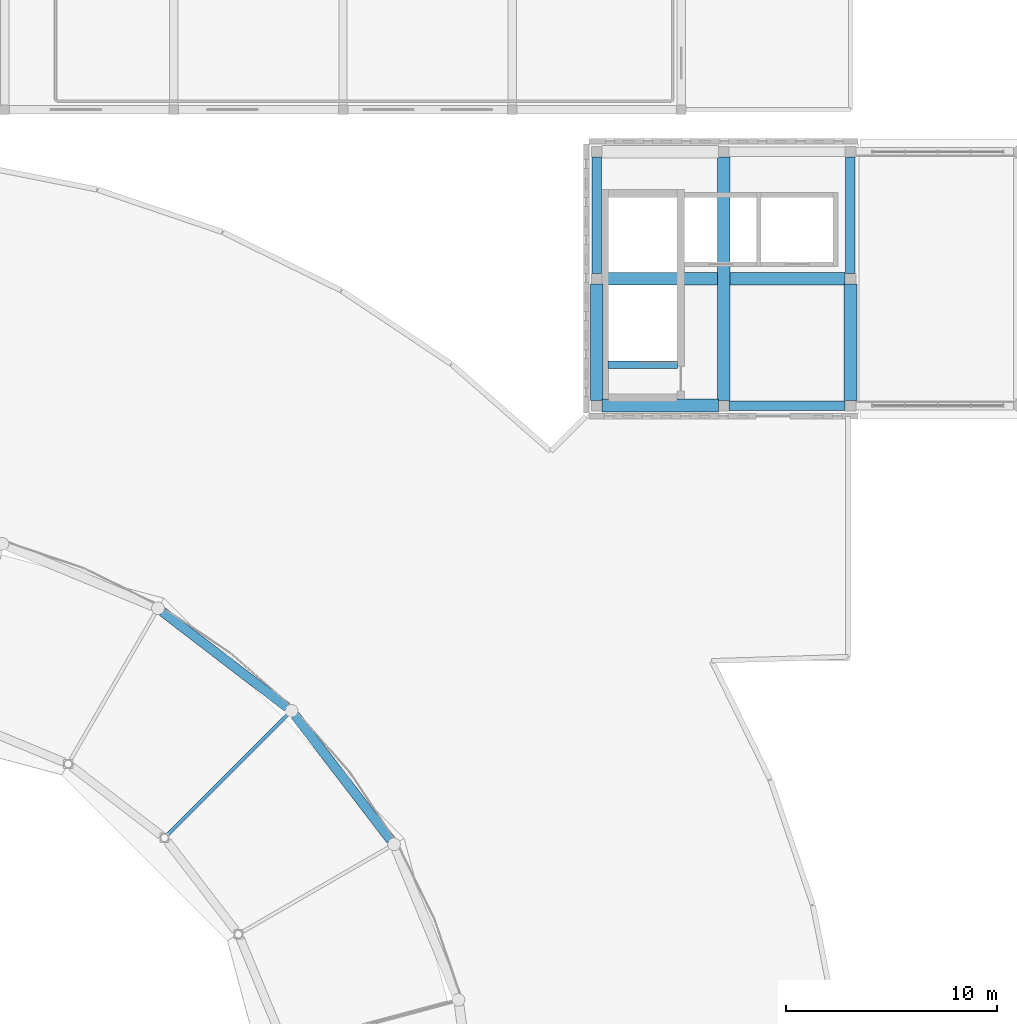
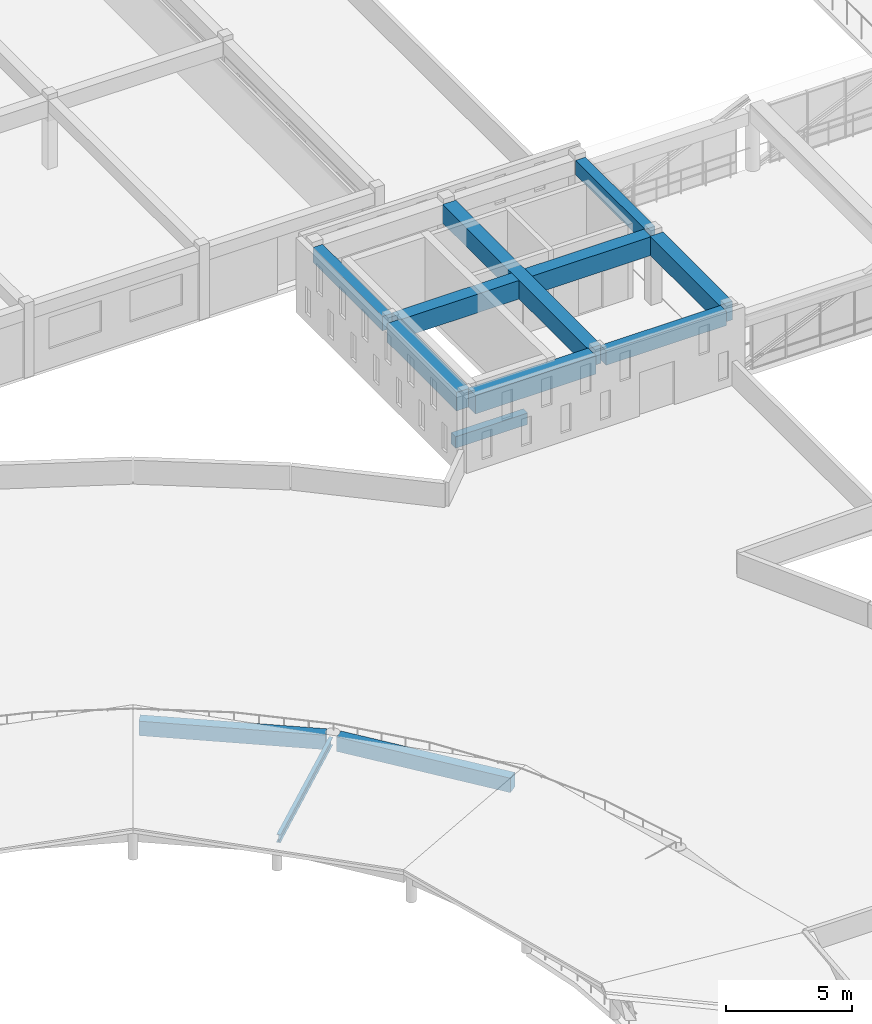
# One storey, part 22 of 77: 12 beams.
"""IFC4 building model written with IfcOpenShell, lengths in metres."""

from ifc_helpers import new_model, si_unit, direction, frame, origin, origin_2d, place, context, subcontext, project, spatial, rectangle, i_section, extrude, material, material_profile, profile_set, type_object, element, save


model = new_model("IFC4")

# Units and contexts
model_context = context("Model", 3, precision=1e-05, world=origin(), true_north=direction((0.0, 1.0)))
body_context = subcontext(model_context, "Body", "Model", "MODEL_VIEW")
ifc_project = project(units=[si_unit("LENGTHUNIT", "METRE"), si_unit("AREAUNIT", "SQUARE_METRE"), si_unit("VOLUMEUNIT", "CUBIC_METRE"), si_unit("PLANEANGLEUNIT", "RADIAN"), si_unit("MASSUNIT", "GRAM", prefix="KILO")], contexts=[model_context])

# Site, building, storey
site_placement = place(None, origin())
site = spatial("IfcSite", under=ifc_project, at=site_placement, CompositionType="ELEMENT")
building_placement = place(site_placement, origin())
building = spatial("IfcBuilding", under=site, at=building_placement, Name="Larkveld Mobility Hub", CompositionType="ELEMENT")
storey_placement = place(building_placement, frame((0.0, 0.0, 12.0)))
storey = spatial("IfcBuildingStorey", under=building, at=storey_placement, Name="L03", CompositionType="ELEMENT", Elevation=12.0)

# Beams
ifc_material_1 = material(Name="Concrete C40/50", Category="concrete")
ifc_material_profile_1 = material_profile(ifc_material_1, rectangle(XDim=0.35009765625, YDim=0.550048828125, at=origin_2d()), Name="RC BM 350x550")
ifc_profile_set_1 = profile_set([ifc_material_profile_1], Name="Concrete C40/50")
beam_type_1 = type_object("IfcBeamType", Name="BM-RC3555", PredefinedType="BEAM", material=ifc_profile_set_1)
beam_1_placement = place(storey_placement, frame((84.530029296875, 85.93994140625, -0.27001953125), z_axis=(1.0, 0.0, 0.0), x_axis=(0.0, 1.0, 0.0)))
element("IfcBeam", 1, at=beam_1_placement, inside=storey, type_object=beam_type_1, Name="Core C5 Stair Header Beam L03", PredefinedType="BEAM", context=body_context, shape_type="SweptSolid", body=[
    extrude(rectangle(XDim=0.35009765625, YDim=0.550048828125, at=origin_2d()), origin(), (0.0, 0.0, 1.0), 3.2900390625),
])
ifc_material_profile_2 = material_profile(ifc_material_1, rectangle(XDim=0.449951171875, YDim=0.699951171875, at=origin_2d()), Name="RC BM 450x700")
ifc_profile_set_2 = profile_set([ifc_material_profile_2], Name="Concrete C40/50")
beam_type_2 = type_object("IfcBeamType", Name="BM-RC4570", PredefinedType="BEAM", material=ifc_profile_set_2)
for number, where, z_axis, x_axis, name in (
    (2, (90.25, 84.0, 3.010009765625), (1.0, 0.0, 0.0), (0.0, 1.0, 0.0), "Primary E-W Girder L03-0735"),
    (3, (84.0, 90.25, 3.010009765625), (0.0, 1.0, 0.0), (-1.0, 0.0, 0.0), "Primary N-S Girder L03-0788"),
    (4, (96.0, 90.25, 3.010009765625), (0.0, 1.0, 0.0), (-1.0, 0.0, 0.0), "Primary N-S Girder L03-0793"),
):
    element("IfcBeam", number, at=place(storey_placement, frame(where, z_axis=z_axis, x_axis=x_axis)), inside=storey, type_object=beam_type_2, Name=name, PredefinedType="BEAM", context=body_context, shape_type="SweptSolid", body=[
        extrude(rectangle(XDim=0.449951171875, YDim=0.699951171875, at=origin_2d()), origin(), (0.0, 0.0, 1.0), 5.5),
    ])
for number, where, z_axis, x_axis, name in (
    (5, (74.256103515625, 63.4560546875, 0.449951171875), (-0.608754453805, 0.793358692504, 0.0), (-0.793358692504, -0.608754453805, 0.0), "Drum Canopy Outer Ring Beam L03-1735"),
    (6, (69.361083984375, 69.72509765625, 0.449951171875), (-0.793358692504, 0.608754453805, 0.0), (-0.608754453805, -0.793358692504, 0.0), "Drum Canopy Outer Ring Beam L03-1735"),
):
    element("IfcBeam", number, at=place(storey_placement, frame(where, z_axis=z_axis, x_axis=x_axis)), inside=storey, type_object=beam_type_2, Name=name, PredefinedType="BEAM", context=body_context, shape_type="SweptSolid", body=[
        extrude(rectangle(XDim=0.449951171875, YDim=0.699951171875, at=origin_2d()), origin(), (0.0, 0.0, 1.0), 7.443115234375),
    ])
ifc_material_profile_3 = material_profile(ifc_material_1, rectangle(XDim=0.60009765625, YDim=0.89990234375, at=origin_2d()), Name="RC BM 600x900")
ifc_profile_set_3 = profile_set([ifc_material_profile_3], Name="Concrete C40/50")
beam_type_3 = type_object("IfcBeamType", Name="BM-RC6090", PredefinedType="BEAM", material=ifc_profile_set_3)
beam_2_placement = place(storey_placement, frame((84.25, 84.0, 2.909912109375), z_axis=(1.0, 0.0, 0.0), x_axis=(0.0, 1.0, 0.0)))
element("IfcBeam", 7, at=beam_2_placement, inside=storey, type_object=beam_type_3, Name="Primary E-W Girder L03-0734", PredefinedType="BEAM", context=body_context, shape_type="SweptSolid", body=[
    extrude(rectangle(XDim=0.60009765625, YDim=0.89990234375, at=origin_2d()), origin(), (0.0, 0.0, 1.0), 5.5),
])
beam_3_placement = place(storey_placement, frame((84.25, 90.0, 2.909912109375), z_axis=(1.0, 0.0, 0.0), x_axis=(0.0, 1.0, 0.0)))
element("IfcBeam", 8, at=beam_3_placement, inside=storey, type_object=beam_type_3, Name="Primary E-W Girder L03-0740", PredefinedType="BEAM", context=body_context, shape_type="SweptSolid", body=[
    extrude(rectangle(XDim=0.60009765625, YDim=0.89990234375, at=origin_2d()), origin(), (0.0, 0.0, 1.0), 11.5),
])
beam_4_placement = place(storey_placement, frame((84.0, 84.25, 2.909912109375), z_axis=(0.0, 1.0, 0.0), x_axis=(-1.0, 0.0, 0.0)))
element("IfcBeam", 9, at=beam_4_placement, inside=storey, type_object=beam_type_3, Name="Primary N-S Girder L03-0787", PredefinedType="BEAM", context=body_context, shape_type="SweptSolid", body=[
    extrude(rectangle(XDim=0.60009765625, YDim=0.89990234375, at=origin_2d()), origin(), (0.0, 0.0, 1.0), 5.5),
])
beam_5_placement = place(storey_placement, frame((90.0, 84.25, 2.909912109375), z_axis=(0.0, 1.0, 0.0), x_axis=(-1.0, 0.0, 0.0)))
element("IfcBeam", 10, at=beam_5_placement, inside=storey, type_object=beam_type_3, Name="Primary N-S Girder L03-0791", PredefinedType="BEAM", context=body_context, shape_type="SweptSolid", body=[
    extrude(rectangle(XDim=0.60009765625, YDim=0.89990234375, at=origin_2d()), origin(), (0.0, 0.0, 1.0), 11.5),
])
beam_6_placement = place(storey_placement, frame((96.0, 84.25, 2.909912109375), z_axis=(0.0, 1.0, 0.0), x_axis=(-1.0, 0.0, 0.0)))
element("IfcBeam", 11, at=beam_6_placement, inside=storey, type_object=beam_type_3, Name="Primary N-S Girder L03-0792", PredefinedType="BEAM", context=body_context, shape_type="SweptSolid", body=[
    extrude(rectangle(XDim=0.60009765625, YDim=0.89990234375, at=origin_2d()), origin(), (0.0, 0.0, 1.0), 5.5),
])
ifc_material_2 = material(Name="Steel S355JR", Category="steel")
ifc_material_profile_4 = material_profile(ifc_material_2, i_section(OverallWidth=0.169921875, OverallDepth=0.360107421875, WebThickness=0.008056640625, FlangeThickness=0.0126953125, FilletRadius=0.01806640625, at=origin_2d()), Name="IPE 360")
ifc_profile_set_4 = profile_set([ifc_material_profile_4], Name="Steel S355JR")
beam_type_4 = type_object("IfcBeamType", Name="BM-STIPE360", PredefinedType="BEAM", material=ifc_profile_set_4)
beam_7_placement = place(storey_placement, frame((69.383056640625, 69.383056640625, 0.580078125), z_axis=(-0.70442917265, -0.70442917265, 0.086942978087), x_axis=(0.707106781187, -0.707106781187, 0.0)))
element("IfcBeam", 12, at=beam_7_placement, inside=storey, type_object=beam_type_4, Name="Drum Canopy Radial Rafter L03-1735", PredefinedType="BEAM", context=body_context, shape_type="SweptSolid", body=[
    extrude(i_section(OverallWidth=0.169921875, OverallDepth=0.360107421875, WebThickness=0.008056640625, FlangeThickness=0.0126953125, FilletRadius=0.01806640625, at=origin_2d()), origin(), (0.0, 0.0, 1.0), 8.05078125),
])

save(model, "model.ifc")
